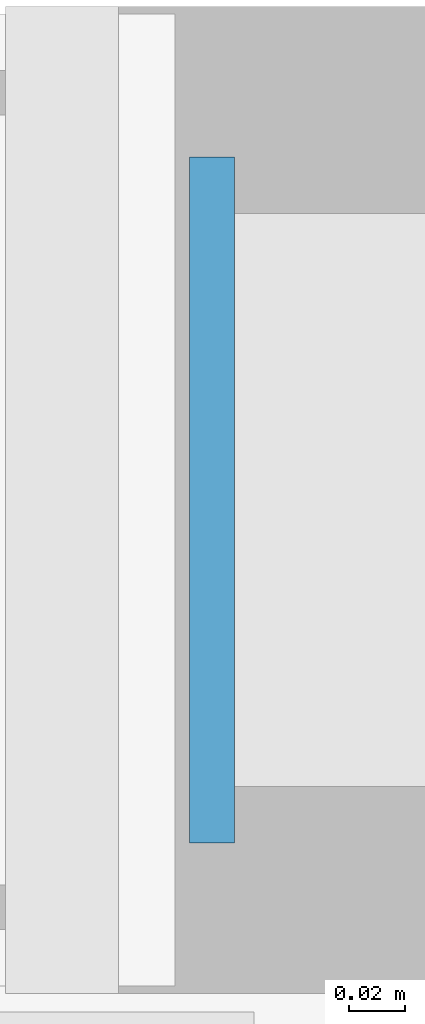
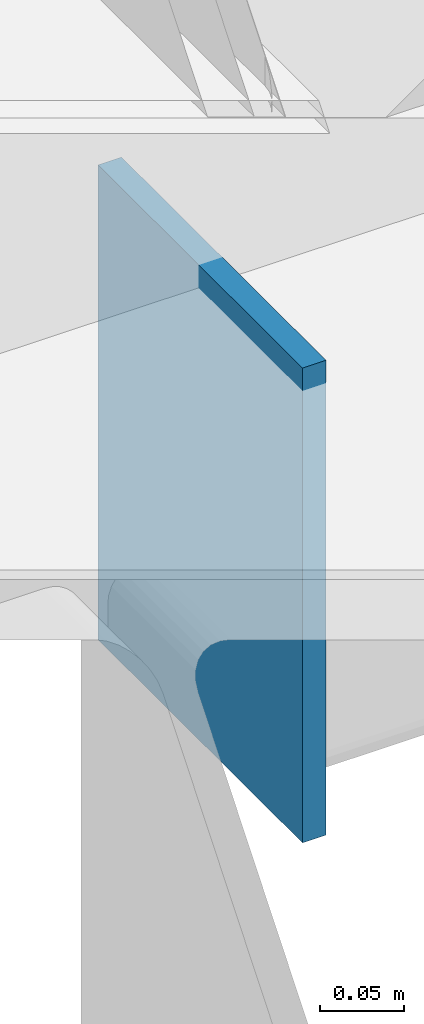
# One storey, part 10 of 27: 1 plate.
"""IFC4 building model written with IfcOpenShell, lengths in metres."""

from ifc_helpers import new_model, si_unit, direction, frame, origin, origin_2d, place, context, subcontext, project, spatial, rectangle, extrude, material, layer, layer_set, type_object, element, save


model = new_model("IFC4")

# Units and contexts
model_context = context("Model", 3, precision=1e-05, world=origin(), true_north=direction((0.0, 1.0)))
body_context = subcontext(model_context, "Body", "Model", "MODEL_VIEW")
ifc_project = project(units=[si_unit("LENGTHUNIT", "METRE"), si_unit("AREAUNIT", "SQUARE_METRE"), si_unit("VOLUMEUNIT", "CUBIC_METRE"), si_unit("PLANEANGLEUNIT", "RADIAN"), si_unit("MASSUNIT", "GRAM", prefix="KILO")], contexts=[model_context])

# Site, building, storey
site_placement = place(None, origin())
site = spatial("IfcSite", under=ifc_project, at=site_placement, CompositionType="ELEMENT")
building_placement = place(site_placement, origin())
building = spatial("IfcBuilding", under=site, at=building_placement, Name="Calvrana Isthmian Art Gallery", CompositionType="ELEMENT")
storey_placement = place(building_placement, frame((0.0, 0.0, 24.60009765625)))
storey = spatial("IfcBuildingStorey", under=building, at=storey_placement, Name="L05", CompositionType="ELEMENT", Elevation=24.60009765625)

# Plate
ifc_material = material(Name="Steel ASTM A572 Gr 50", Category="steel")
ifc_layer = layer(ifc_material, 0.01611328125, Name="Steel ASTM A572 Gr 50")
ifc_layer_set = layer_set([ifc_layer], Name="Steel ASTM A572 Gr 50")
plate_type = type_object("IfcPlateType", Name="PL-CAP-16", PredefinedType="SHEET", material=ifc_layer_set)
plate_placement = place(storey_placement, frame((46.985595703125, 46.800048828125, -0.5498046875), z_axis=(0.0, 0.0, 1.0), x_axis=(1.0, 0.0, 0.0)))
element("IfcPlate", 1, at=plate_placement, inside=storey, type_object=plate_type, Name="Hollow section end cap plate 499", PredefinedType="SHEET", context=body_context, shape_type="SweptSolid", body=[
    extrude(rectangle(XDim=0.01611328125, YDim=0.2431640625, at=origin_2d()), origin(), (0.0, 0.0, 1.0), 0.3447265625),
])

save(model, "model.ifc")
